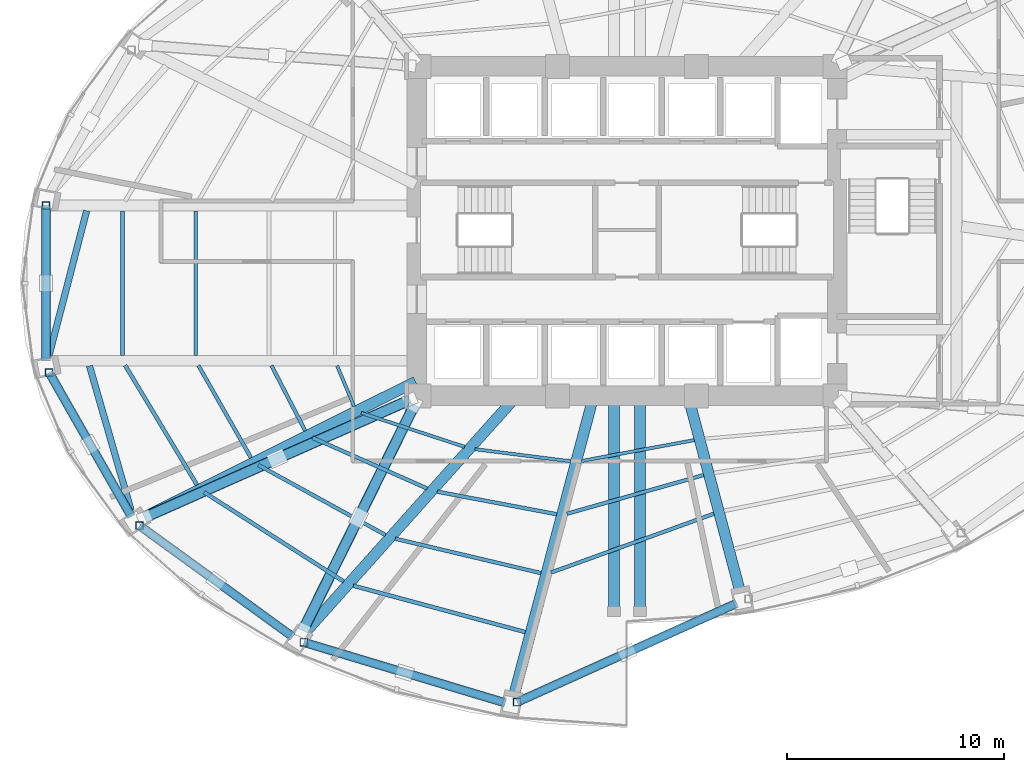
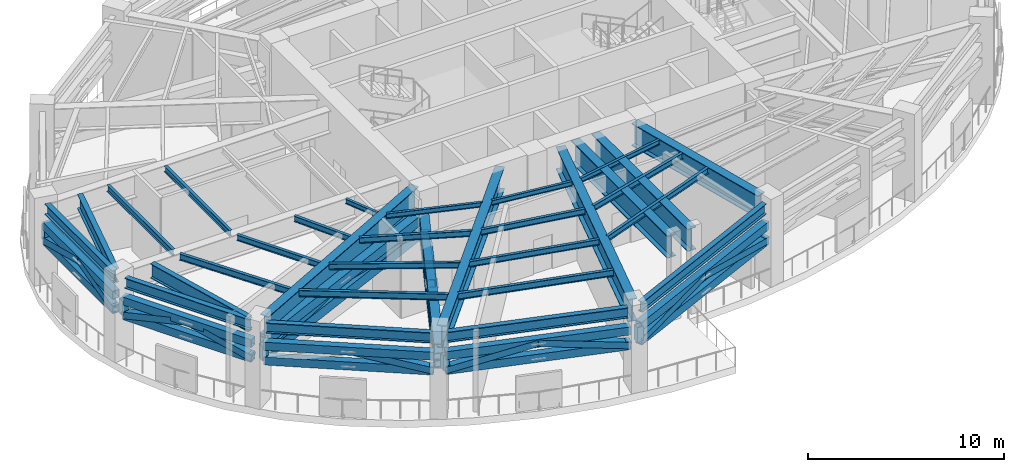
# One storey, part 2 of 14: 32 members, 30 beams.
"""IFC4 building model written with IfcOpenShell, lengths in metres."""

from ifc_helpers import new_model, si_unit, direction, frame, origin, origin_2d, place, context, subcontext, project, spatial, hollow_rectangle, i_section, extrude, material, material_profile, profile_set, type_object, element, save


model = new_model("IFC4")

# Units and contexts
model_context = context("Model", 3, precision=1e-05, world=origin(), true_north=direction((0.0, 1.0)))
body_context = subcontext(model_context, "Body", "Model", "MODEL_VIEW")
ifc_project = project(units=[si_unit("LENGTHUNIT", "METRE"), si_unit("AREAUNIT", "SQUARE_METRE"), si_unit("VOLUMEUNIT", "CUBIC_METRE"), si_unit("PLANEANGLEUNIT", "RADIAN"), si_unit("MASSUNIT", "GRAM", prefix="KILO")], contexts=[model_context])

# Site, building, storey
site_placement = place(None, origin())
site = spatial("IfcSite", under=ifc_project, at=site_placement, CompositionType="ELEMENT")
building_placement = place(site_placement, origin())
building = spatial("IfcBuilding", under=site, at=building_placement, Name="Lazwardi Medical Tower", CompositionType="ELEMENT")
storey_placement = place(building_placement, frame((0.0, 0.0, 76.27197265625)))
storey = spatial("IfcBuildingStorey", under=building, at=storey_placement, Name="L19", CompositionType="ELEMENT", Elevation=76.27197265625)

# Beams
ifc_material_1 = material(Name="Steel S460", Category="steel")
ifc_material_profile_1 = material_profile(ifc_material_1, i_section(OverallWidth=0.300048828125, OverallDepth=0.89990234375, WebThickness=0.0185546875, FlangeThickness=0.034912109375, at=origin_2d()), Name="HEB 900")
ifc_profile_set_1 = profile_set([ifc_material_profile_1], Name="Steel S460")
beam_type_1 = type_object("IfcBeamType", Name="BM-HB-01", PredefinedType="BEAM", material=ifc_profile_set_1)
beam_1_placement = place(storey_placement, frame((11.075439453125, 28.94287109375, 4.572021484375), z_axis=(-0.251712176718, -0.967802138917, 0.0), x_axis=(0.967802138917, -0.251712176718, 0.0)))
element("IfcBeam", 1, at=beam_1_placement, inside=storey, type_object=beam_type_1, Name="Transfer girder tie HB-01 M12 L19", PredefinedType="BEAM", context=body_context, shape_type="SweptSolid", body=[
    extrude(i_section(OverallWidth=0.300048828125, OverallDepth=0.89990234375, WebThickness=0.0185546875, FlangeThickness=0.034912109375, at=origin_2d()), origin(), (0.0, 0.0, 1.0), 6.890380859375),
])
beam_2_placement = place(storey_placement, frame((11.205078125, 21.78466796875, 4.572021484375), z_axis=(0.276962437668, -0.960880746045, 0.0), x_axis=(0.960880746045, 0.276962437668, 0.0)))
element("IfcBeam", 2, at=beam_2_placement, inside=storey, type_object=beam_type_1, Name="Transfer girder tie HB-01 M13 L19", PredefinedType="BEAM", context=body_context, shape_type="SweptSolid", body=[
    extrude(i_section(OverallWidth=0.300048828125, OverallDepth=0.89990234375, WebThickness=0.0185546875, FlangeThickness=0.034912109375, at=origin_2d()), origin(), (0.0, 0.0, 1.0), 6.93212890625),
])
ifc_material_2 = material(Name="Steel S355", Category="steel")
ifc_material_profile_2 = material_profile(ifc_material_2, i_section(OverallWidth=0.300048828125, OverallDepth=0.64990234375, WebThickness=0.01611328125, FlangeThickness=0.031005859375, at=origin_2d()), Name="HEB 650")
ifc_profile_set_2 = profile_set([ifc_material_profile_2], Name="Steel S355")
beam_type_2 = type_object("IfcBeamType", Name="BM-RB-Z1", PredefinedType="BEAM", material=ifc_profile_set_2)
beam_3_placement = place(storey_placement, frame((9.199951171875, 29.047607421875, 4.697021484375), z_axis=(0.0, -1.0, 0.0), x_axis=(1.0, 0.0, 0.0)))
element("IfcBeam", 3, at=beam_3_placement, inside=storey, type_object=beam_type_2, Name="Ring beam RB-02 B12 L19", PredefinedType="BEAM", context=body_context, shape_type="SweptSolid", body=[
    extrude(i_section(OverallWidth=0.300048828125, OverallDepth=0.64990234375, WebThickness=0.01611328125, FlangeThickness=0.031005859375, at=origin_2d()), origin(), (0.0, 0.0, 1.0), 6.895263671875),
])
beam_4_placement = place(storey_placement, frame((9.408203125, 21.36767578125, 4.697021484375), z_axis=(0.49581512241, -0.868428099724, 0.0), x_axis=(0.868428099724, 0.49581512241, 0.0)))
element("IfcBeam", 4, at=beam_4_placement, inside=storey, type_object=beam_type_2, Name="Ring beam RB-02 B13 L19", PredefinedType="BEAM", context=body_context, shape_type="SweptSolid", body=[
    extrude(i_section(OverallWidth=0.300048828125, OverallDepth=0.64990234375, WebThickness=0.01611328125, FlangeThickness=0.031005859375, at=origin_2d()), origin(), (0.0, 0.0, 1.0), 7.389404296875),
])
beam_5_placement = place(storey_placement, frame((13.6201171875, 14.339111328125, 4.697021484375), z_axis=(0.809407079515, -0.587247971159, 0.0), x_axis=(0.587247971159, 0.809407079515, 0.0)))
element("IfcBeam", 5, at=beam_5_placement, inside=storey, type_object=beam_type_2, Name="Ring beam RB-02 B14 L19", PredefinedType="BEAM", context=body_context, shape_type="SweptSolid", body=[
    extrude(i_section(OverallWidth=0.300048828125, OverallDepth=0.64990234375, WebThickness=0.01611328125, FlangeThickness=0.031005859375, at=origin_2d()), origin(), (0.0, 0.0, 1.0), 8.473876953125),
])
beam_6_placement = place(storey_placement, frame((21.22119140625, 8.9951171875, 4.697021484375), z_axis=(0.957695289269, -0.287784177662, 0.0), x_axis=(0.287784177662, 0.957695289269, 0.0)))
element("IfcBeam", 6, at=beam_6_placement, inside=storey, type_object=beam_type_2, Name="Ring beam RB-02 B15 L19", PredefinedType="BEAM", context=body_context, shape_type="SweptSolid", body=[
    extrude(i_section(OverallWidth=0.300048828125, OverallDepth=0.64990234375, WebThickness=0.01611328125, FlangeThickness=0.031005859375, at=origin_2d()), origin(), (0.0, 0.0, 1.0), 9.445556640625),
])
beam_7_placement = place(storey_placement, frame((31.05224609375, 6.328369140625, 4.697021484375), z_axis=(0.91184908894, 0.410525564368, 0.0), x_axis=(-0.410525564368, 0.91184908894, 0.0)))
element("IfcBeam", 7, at=beam_7_placement, inside=storey, type_object=beam_type_2, Name="Ring beam RB-02 B16 L19", PredefinedType="BEAM", context=body_context, shape_type="SweptSolid", body=[
    extrude(i_section(OverallWidth=0.300048828125, OverallDepth=0.64990234375, WebThickness=0.01611328125, FlangeThickness=0.031005859375, at=origin_2d()), origin(), (0.0, 0.0, 1.0), 10.85205078125),
])
ifc_material_profile_3 = material_profile(ifc_material_2, i_section(OverallWidth=0.179931640625, OverallDepth=0.39990234375, WebThickness=0.008544921875, FlangeThickness=0.013427734375, at=origin_2d()), Name="IPE 400")
ifc_profile_set_3 = profile_set([ifc_material_profile_3], Name="Steel S355")
beam_type_3 = type_object("IfcBeamType", Name="BM-SJ-01", PredefinedType="JOIST", material=ifc_profile_set_3)
beam_8_placement = place(storey_placement, frame((12.72607421875, 28.934814453125, 4.822021484375), z_axis=(0.0, -1.0, 0.0), x_axis=(1.0, 0.0, 0.0)))
element("IfcBeam", 8, at=beam_8_placement, inside=storey, type_object=beam_type_3, Name="Secondary joist SJ-01 R1 B12 L19", PredefinedType="JOIST", context=body_context, shape_type="SweptSolid", body=[
    extrude(i_section(OverallWidth=0.179931640625, OverallDepth=0.39990234375, WebThickness=0.008544921875, FlangeThickness=0.013427734375, at=origin_2d()), origin(), (0.0, 0.0, 1.0), 6.669677734375),
])
beam_9_placement = place(storey_placement, frame((12.85205078125, 21.81005859375, 4.822021484375), z_axis=(0.514903280124, -0.857248279157, 0.0), x_axis=(0.857248279157, 0.514903280124, 0.0)))
element("IfcBeam", 9, at=beam_9_placement, inside=storey, type_object=beam_type_3, Name="Secondary joist SJ-01 R1 B13 L19", PredefinedType="JOIST", context=body_context, shape_type="SweptSolid", body=[
    extrude(i_section(OverallWidth=0.179931640625, OverallDepth=0.39990234375, WebThickness=0.008544921875, FlangeThickness=0.013427734375, at=origin_2d()), origin(), (0.0, 0.0, 1.0), 6.430419921875),
])
beam_10_placement = place(storey_placement, frame((16.49560546875, 15.95556640625, 4.822021484375), z_axis=(0.842531896871, -0.538646454323, 0.0), x_axis=(0.538646454323, 0.842531896871, 0.0)))
element("IfcBeam", 10, at=beam_10_placement, inside=storey, type_object=beam_type_3, Name="Secondary joist SJ-01 R1 B14 L19", PredefinedType="JOIST", context=body_context, shape_type="SweptSolid", body=[
    extrude(i_section(OverallWidth=0.179931640625, OverallDepth=0.39990234375, WebThickness=0.008544921875, FlangeThickness=0.013427734375, at=origin_2d()), origin(), (0.0, 0.0, 1.0), 7.639404296875),
])
beam_11_placement = place(storey_placement, frame((23.375244140625, 11.64501953125, 4.822021484375), z_axis=(0.965541984542, -0.260247336368, 0.0), x_axis=(0.260247336368, 0.965541984542, 0.0)))
element("IfcBeam", 11, at=beam_11_placement, inside=storey, type_object=beam_type_3, Name="Secondary joist SJ-01 R1 B15 L19", PredefinedType="JOIST", context=body_context, shape_type="SweptSolid", body=[
    extrude(i_section(OverallWidth=0.179931640625, OverallDepth=0.39990234375, WebThickness=0.008544921875, FlangeThickness=0.013427734375, at=origin_2d()), origin(), (0.0, 0.0, 1.0), 8.216064453125),
])
ifc_material_profile_4 = material_profile(ifc_material_2, i_section(OverallWidth=0.169921875, OverallDepth=0.360107421875, WebThickness=0.008056640625, FlangeThickness=0.0126953125, at=origin_2d()), Name="IPE 360")
ifc_profile_set_4 = profile_set([ifc_material_profile_4], Name="Steel S355")
beam_type_4 = type_object("IfcBeamType", Name="BM-SJ-02", PredefinedType="JOIST", material=ifc_profile_set_4)
beam_12_placement = place(storey_placement, frame((16.10693359375, 28.934814453125, 4.842041015625), z_axis=(0.0, -1.0, 0.0), x_axis=(1.0, 0.0, 0.0)))
element("IfcBeam", 12, at=beam_12_placement, inside=storey, type_object=beam_type_4, Name="Secondary joist SJ-02 R2 B12 L19", PredefinedType="JOIST", context=body_context, shape_type="SweptSolid", body=[
    extrude(i_section(OverallWidth=0.169921875, OverallDepth=0.360107421875, WebThickness=0.008056640625, FlangeThickness=0.0126953125, at=origin_2d()), origin(), (0.0, 0.0, 1.0), 6.669677734375),
])
beam_13_placement = place(storey_placement, frame((16.228271484375, 21.80712890625, 4.842041015625), z_axis=(0.495126070105, -0.868821140801, 0.0), x_axis=(0.868821140801, 0.495126070105, 0.0)))
element("IfcBeam", 13, at=beam_13_placement, inside=storey, type_object=beam_type_4, Name="Secondary joist SJ-02 R2 B13 L19", PredefinedType="JOIST", context=body_context, shape_type="SweptSolid", body=[
    extrude(i_section(OverallWidth=0.169921875, OverallDepth=0.360107421875, WebThickness=0.008056640625, FlangeThickness=0.0126953125, at=origin_2d()), origin(), (0.0, 0.0, 1.0), 4.90771484375),
])
beam_14_placement = place(storey_placement, frame((18.994140625, 17.212158203125, 4.842041015625), z_axis=(0.876180470539, -0.481983177139, 0.0), x_axis=(0.481983177139, 0.876180470539, 0.0)))
element("IfcBeam", 14, at=beam_14_placement, inside=storey, type_object=beam_type_4, Name="Secondary joist SJ-02 R2 B14 L19", PredefinedType="JOIST", context=body_context, shape_type="SweptSolid", body=[
    extrude(i_section(OverallWidth=0.169921875, OverallDepth=0.360107421875, WebThickness=0.008056640625, FlangeThickness=0.0126953125, at=origin_2d()), origin(), (0.0, 0.0, 1.0), 6.69140625),
])
beam_15_placement = place(storey_placement, frame((25.31005859375, 13.812744140625, 4.842041015625), z_axis=(0.973257933772, -0.229715028567, 0.0), x_axis=(0.229715028567, 0.973257933772, 0.0)))
element("IfcBeam", 15, at=beam_15_placement, inside=storey, type_object=beam_type_4, Name="Secondary joist SJ-02 R2 B15 L19", PredefinedType="JOIST", context=body_context, shape_type="SweptSolid", body=[
    extrude(i_section(OverallWidth=0.169921875, OverallDepth=0.360107421875, WebThickness=0.008056640625, FlangeThickness=0.0126953125, at=origin_2d()), origin(), (0.0, 0.0, 1.0), 6.9072265625),
])
beam_16_placement = place(storey_placement, frame((32.501220703125, 12.253173828125, 4.842041015625), z_axis=(0.940478985064, 0.339851848095, 0.0), x_axis=(-0.339851848095, 0.940478985064, 0.0)))
element("IfcBeam", 16, at=beam_16_placement, inside=storey, type_object=beam_type_4, Name="Secondary joist SJ-02 R2 B16 L19", PredefinedType="JOIST", context=body_context, shape_type="SweptSolid", body=[
    extrude(i_section(OverallWidth=0.169921875, OverallDepth=0.360107421875, WebThickness=0.008056640625, FlangeThickness=0.0126953125, at=origin_2d()), origin(), (0.0, 0.0, 1.0), 7.98388671875),
])
beam_17_placement = place(storey_placement, frame((19.6005859375, 21.802490234375, 4.842041015625), z_axis=(0.459099628804, -0.888384787596, 0.0), x_axis=(0.888384787596, 0.459099628804, 0.0)))
element("IfcBeam", 17, at=beam_17_placement, inside=storey, type_object=beam_type_4, Name="Secondary joist SJ-02 R3 B13 L19", PredefinedType="JOIST", context=body_context, shape_type="SweptSolid", body=[
    extrude(i_section(OverallWidth=0.169921875, OverallDepth=0.360107421875, WebThickness=0.008056640625, FlangeThickness=0.0126953125, at=origin_2d()), origin(), (0.0, 0.0, 1.0), 3.39013671875),
])
beam_18_placement = place(storey_placement, frame((21.49365234375, 18.4736328125, 4.842041015625), z_axis=(0.914115919269, -0.405452939487, 0.0), x_axis=(0.405452939487, 0.914115919269, 0.0)))
element("IfcBeam", 18, at=beam_18_placement, inside=storey, type_object=beam_type_4, Name="Secondary joist SJ-02 R3 B14 L19", PredefinedType="JOIST", context=body_context, shape_type="SweptSolid", body=[
    extrude(i_section(OverallWidth=0.169921875, OverallDepth=0.360107421875, WebThickness=0.008056640625, FlangeThickness=0.0126953125, at=origin_2d()), origin(), (0.0, 0.0, 1.0), 5.78369140625),
])
beam_19_placement = place(storey_placement, frame((27.2451171875, 15.98388671875, 4.842041015625), z_axis=(0.982600100928, -0.185733792445, 0.0), x_axis=(0.185733792445, 0.982600100928, 0.0)))
element("IfcBeam", 19, at=beam_19_placement, inside=storey, type_object=beam_type_4, Name="Secondary joist SJ-02 R3 B15 L19", PredefinedType="JOIST", context=body_context, shape_type="SweptSolid", body=[
    extrude(i_section(OverallWidth=0.169921875, OverallDepth=0.360107421875, WebThickness=0.008056640625, FlangeThickness=0.0126953125, at=origin_2d()), origin(), (0.0, 0.0, 1.0), 5.60888671875),
])
beam_20_placement = place(storey_placement, frame((33.23291015625, 14.96337890625, 4.842041015625), z_axis=(0.962085979715, 0.272746343029, 0.0), x_axis=(-0.272746343029, 0.962085979715, 0.0)))
element("IfcBeam", 20, at=beam_20_placement, inside=storey, type_object=beam_type_4, Name="Secondary joist SJ-02 R3 B16 L19", PredefinedType="JOIST", context=body_context, shape_type="SweptSolid", body=[
    extrude(i_section(OverallWidth=0.169921875, OverallDepth=0.360107421875, WebThickness=0.008056640625, FlangeThickness=0.0126953125, at=origin_2d()), origin(), (0.0, 0.0, 1.0), 6.549560546875),
])
ifc_material_profile_5 = material_profile(ifc_material_2, i_section(OverallWidth=0.14990234375, OverallDepth=0.300048828125, WebThickness=0.007080078125, FlangeThickness=0.0107421875, at=origin_2d()), Name="IPE 300")
ifc_profile_set_5 = profile_set([ifc_material_profile_5], Name="Steel S355")
beam_type_5 = type_object("IfcBeamType", Name="BM-SJ-03", PredefinedType="JOIST", material=ifc_profile_set_5)
beam_21_placement = place(storey_placement, frame((22.6259765625, 21.794189453125, 4.8720703125), z_axis=(0.387847956284, -0.921723365661, 0.0), x_axis=(0.921723365661, 0.387847956284, 0.0)))
element("IfcBeam", 21, at=beam_21_placement, inside=storey, type_object=beam_type_5, Name="Secondary joist SJ-03 R4 B13 L19", PredefinedType="JOIST", context=body_context, shape_type="SweptSolid", body=[
    extrude(i_section(OverallWidth=0.14990234375, OverallDepth=0.300048828125, WebThickness=0.007080078125, FlangeThickness=0.0107421875, at=origin_2d()), origin(), (0.0, 0.0, 1.0), 2.036376953125),
])
beam_22_placement = place(storey_placement, frame((23.74365234375, 19.614990234375, 4.8720703125), z_axis=(0.950123227602, -0.31187473827, 0.0), x_axis=(0.31187473827, 0.950123227602, 0.0)))
element("IfcBeam", 22, at=beam_22_placement, inside=storey, type_object=beam_type_5, Name="Secondary joist SJ-03 R4 B14 L19", PredefinedType="JOIST", context=body_context, shape_type="SweptSolid", body=[
    extrude(i_section(OverallWidth=0.14990234375, OverallDepth=0.300048828125, WebThickness=0.007080078125, FlangeThickness=0.0107421875, at=origin_2d()), origin(), (0.0, 0.0, 1.0), 5.017822265625),
])
beam_23_placement = place(storey_placement, frame((28.987060546875, 17.94287109375, 4.8720703125), z_axis=(0.992035793974, -0.125956276045, 0.0), x_axis=(0.125956276045, 0.992035793974, 0.0)))
element("IfcBeam", 23, at=beam_23_placement, inside=storey, type_object=beam_type_5, Name="Secondary joist SJ-03 R4 B15 L19", PredefinedType="JOIST", context=body_context, shape_type="SweptSolid", body=[
    extrude(i_section(OverallWidth=0.14990234375, OverallDepth=0.300048828125, WebThickness=0.007080078125, FlangeThickness=0.0107421875, at=origin_2d()), origin(), (0.0, 0.0, 1.0), 4.4560546875),
])
beam_24_placement = place(storey_placement, frame((33.8916015625, 17.395263671875, 4.8720703125), z_axis=(0.983249016834, 0.182267306159, 0.0), x_axis=(-0.182267306159, 0.983249016834, 0.0)))
element("IfcBeam", 24, at=beam_24_placement, inside=storey, type_object=beam_type_5, Name="Secondary joist SJ-03 R4 B16 L19", PredefinedType="JOIST", context=body_context, shape_type="SweptSolid", body=[
    extrude(i_section(OverallWidth=0.14990234375, OverallDepth=0.300048828125, WebThickness=0.007080078125, FlangeThickness=0.0107421875, at=origin_2d()), origin(), (0.0, 0.0, 1.0), 5.302978515625),
])
ifc_material_profile_6 = material_profile(ifc_material_1, i_section(OverallWidth=0.5, OverallDepth=1.39990234375, WebThickness=0.028076171875, FlangeThickness=0.044921875, at=origin_2d()), Name="PG 1400x500")
ifc_profile_set_6 = profile_set([ifc_material_profile_6], Name="Steel S460")
beam_type_6 = type_object("IfcBeamType", Name="BM-TG-01", PredefinedType="BEAM", material=ifc_profile_set_6)
for number, where, z_axis, x_axis, name in (
    (25, (35.39990234375, 10.659912109375, 4.322021484375), (0.0, 1.0, 0.0), (-1.0, 0.0, 0.0), "Transfer girder TG-01 PL3 L19"),
    (26, (36.60009765625, 10.659912109375, 4.322021484375), (0.0, 1.0, 0.0), (-1.0, 0.0, 0.0), "Transfer girder TG-01 PL4 L19"),
):
    element("IfcBeam", number, at=place(storey_placement, frame(where, z_axis=z_axis, x_axis=x_axis)), inside=storey, type_object=beam_type_6, Name=name, PredefinedType="BEAM", context=body_context, shape_type="SweptSolid", body=[
        extrude(i_section(OverallWidth=0.5, OverallDepth=1.39990234375, WebThickness=0.028076171875, FlangeThickness=0.044921875, at=origin_2d()), origin(), (0.0, 0.0, 1.0), 9.840087890625),
    ])
beam_25_placement = place(storey_placement, frame((41.181396484375, 11.516357421875, 4.322021484375), z_axis=(-0.257343488717, 0.966319992971, 0.0), x_axis=(-0.966319992971, -0.257343488717, 0.0)))
element("IfcBeam", 27, at=beam_25_placement, inside=storey, type_object=beam_type_6, Name="Transfer girder TG-01 M01 L19", PredefinedType="BEAM", context=body_context, shape_type="SweptSolid", body=[
    extrude(i_section(OverallWidth=0.5, OverallDepth=1.39990234375, WebThickness=0.028076171875, FlangeThickness=0.044921875, at=origin_2d()), origin(), (0.0, 0.0, 1.0), 9.1416015625),
])
beam_26_placement = place(storey_placement, frame((13.799072265625, 14.8447265625, 4.322021484375), z_axis=(0.894760291131, 0.446546774052, 0.0), x_axis=(-0.446546774052, 0.894760291131, 0.0)))
element("IfcBeam", 28, at=beam_26_placement, inside=storey, type_object=beam_type_6, Name="Transfer girder TG-01 M14 L19", PredefinedType="BEAM", context=body_context, shape_type="SweptSolid", body=[
    extrude(i_section(OverallWidth=0.5, OverallDepth=1.39990234375, WebThickness=0.028076171875, FlangeThickness=0.044921875, at=origin_2d()), origin(), (0.0, 0.0, 1.0), 13.915283203125),
])
beam_27_placement = place(storey_placement, frame((21.205810546875, 9.54833984375, 4.322021484375), z_axis=(0.666787966344, 0.745247481001, 0.0), x_axis=(-0.745247481001, 0.666787966344, 0.0)))
element("IfcBeam", 29, at=beam_27_placement, inside=storey, type_object=beam_type_6, Name="Transfer girder TG-01 M15 L19", PredefinedType="BEAM", context=body_context, shape_type="SweptSolid", body=[
    extrude(i_section(OverallWidth=0.5, OverallDepth=1.39990234375, WebThickness=0.028076171875, FlangeThickness=0.044921875, at=origin_2d()), origin(), (0.0, 0.0, 1.0), 14.494140625),
])
beam_28_placement = place(storey_placement, frame((30.818603515625, 6.71630859375, 4.322021484375), z_axis=(0.257343842395, 0.966319898782, 0.0), x_axis=(-0.966319898782, 0.257343842395, 0.0)))
element("IfcBeam", 30, at=beam_28_placement, inside=storey, type_object=beam_type_6, Name="Transfer girder TG-01 M16 L19", PredefinedType="BEAM", context=body_context, shape_type="SweptSolid", body=[
    extrude(i_section(OverallWidth=0.5, OverallDepth=1.39990234375, WebThickness=0.028076171875, FlangeThickness=0.044921875, at=origin_2d()), origin(), (0.0, 0.0, 1.0), 14.10888671875),
])

# Members
ifc_material_profile_7 = material_profile(ifc_material_1, hollow_rectangle(XDim=0.39990234375, YDim=0.5, WallThickness=0.02490234375, at=origin_2d()), Name="RHS 500x400x25")
ifc_profile_set_7 = profile_set([ifc_material_profile_7], Name="Steel S460")
member_type_1 = type_object("IfcMemberType", Name="MEM-BC-01", PredefinedType="CHORD", material=ifc_profile_set_7)
for number, where, z_axis, x_axis, name in (
    (31, (9.199951171875, 29.177734375, 2.679931640625), (0.0, -1.0, 0.0), (1.0, 0.0, 0.0), "Belt truss bottom chord BC-01 B12 L19"),
    (32, (9.199951171875, 29.177734375, 3.60009765625), (0.0, -1.0, 0.0), (1.0, 0.0, 0.0), "Belt truss top chord BC-01 B12 L19"),
):
    element("IfcMember", number, at=place(storey_placement, frame(where, z_axis=z_axis, x_axis=x_axis)), inside=storey, type_object=member_type_1, Name=name, PredefinedType="CHORD", context=body_context, shape_type="SweptSolid", body=[
        extrude(hollow_rectangle(XDim=0.39990234375, YDim=0.5, WallThickness=0.02490234375, at=origin_2d()), origin(), (0.0, 0.0, 1.0), 7.155517578125),
    ])
for number, where, z_axis, x_axis, name in (
    (33, (9.34375, 21.48046875, 2.679931640625), (0.495802051618, -0.868435562153, 0.0), (0.868435562153, 0.495802051618, 0.0), "Belt truss bottom chord BC-01 B13 L19"),
    (34, (9.34375, 21.48046875, 3.60009765625), (0.495802051618, -0.868435562153, 0.0), (0.868435562153, 0.495802051618, 0.0), "Belt truss top chord BC-01 B13 L19"),
):
    element("IfcMember", number, at=place(storey_placement, frame(where, z_axis=z_axis, x_axis=x_axis)), inside=storey, type_object=member_type_1, Name=name, PredefinedType="CHORD", context=body_context, shape_type="SweptSolid", body=[
        extrude(hollow_rectangle(XDim=0.39990234375, YDim=0.5, WallThickness=0.02490234375, at=origin_2d()), origin(), (0.0, 0.0, 1.0), 7.649169921875),
    ])
for number, where, z_axis, x_axis, name in (
    (35, (13.514892578125, 14.41552734375, 2.679931640625), (0.809399182415, -0.587258855621, 0.0), (0.587258855621, 0.809399182415, 0.0), "Belt truss bottom chord BC-01 B14 L19"),
    (36, (13.514892578125, 14.41552734375, 3.60009765625), (0.809399182415, -0.587258855621, 0.0), (0.587258855621, 0.809399182415, 0.0), "Belt truss top chord BC-01 B14 L19"),
):
    element("IfcMember", number, at=place(storey_placement, frame(where, z_axis=z_axis, x_axis=x_axis)), inside=storey, type_object=member_type_1, Name=name, PredefinedType="CHORD", context=body_context, shape_type="SweptSolid", body=[
        extrude(hollow_rectangle(XDim=0.39990234375, YDim=0.5, WallThickness=0.02490234375, at=origin_2d()), origin(), (0.0, 0.0, 1.0), 8.734130859375),
    ])
for number, where, z_axis, x_axis, name in (
    (37, (21.0966796875, 9.03271484375, 2.679931640625), (0.957691868037, -0.287795562676, 0.0), (0.287795562676, 0.957691868037, 0.0), "Belt truss bottom chord BC-01 B15 L19"),
    (38, (21.0966796875, 9.03271484375, 3.60009765625), (0.957691868037, -0.287795562676, 0.0), (0.287795562676, 0.957691868037, 0.0), "Belt truss top chord BC-01 B15 L19"),
):
    element("IfcMember", number, at=place(storey_placement, frame(where, z_axis=z_axis, x_axis=x_axis)), inside=storey, type_object=member_type_1, Name=name, PredefinedType="CHORD", context=body_context, shape_type="SweptSolid", body=[
        extrude(hollow_rectangle(XDim=0.39990234375, YDim=0.5, WallThickness=0.02490234375, at=origin_2d()), origin(), (0.0, 0.0, 1.0), 9.70556640625),
    ])
for number, where, z_axis, x_axis, name in (
    (39, (30.93359375, 6.27490234375, 2.679931640625), (0.911845850519, 0.410532757392, 0.0), (-0.410532757392, 0.911845850519, 0.0), "Belt truss bottom chord BC-01 B16 L19"),
    (40, (30.93359375, 6.27490234375, 3.60009765625), (0.911845850519, 0.410532757392, 0.0), (-0.410532757392, 0.911845850519, 0.0), "Belt truss top chord BC-01 B16 L19"),
):
    element("IfcMember", number, at=place(storey_placement, frame(where, z_axis=z_axis, x_axis=x_axis)), inside=storey, type_object=member_type_1, Name=name, PredefinedType="CHORD", context=body_context, shape_type="SweptSolid", body=[
        extrude(hollow_rectangle(XDim=0.39990234375, YDim=0.5, WallThickness=0.02490234375, at=origin_2d()), origin(), (0.0, 0.0, 1.0), 11.1123046875),
    ])
ifc_material_profile_8 = material_profile(ifc_material_1, hollow_rectangle(XDim=0.39990234375, YDim=0.39990234375, WallThickness=0.02001953125, at=origin_2d()), Name="RHS 400x400x20")
ifc_profile_set_8 = profile_set([ifc_material_profile_8], Name="Steel S460")
member_type_2 = type_object("IfcMemberType", Name="MEM-BD-01", PredefinedType="BRACE", material=ifc_profile_set_8)
member_1_placement = place(storey_placement, frame((9.199951171875, 29.177734375, 2.679931640625), z_axis=(0.0, -0.968479723399, 0.249092403268), x_axis=(1.0, 0.0, 0.0)))
element("IfcMember", 41, at=member_1_placement, inside=storey, type_object=member_type_2, Name="Belt truss diagonal BD-01 B12A L19", PredefinedType="BRACE", context=body_context, shape_type="SweptSolid", body=[
    extrude(hollow_rectangle(XDim=0.39990234375, YDim=0.39990234375, WallThickness=0.02001953125, at=origin_2d()), origin(), (0.0, 0.0, 1.0), 3.694091796875),
])
member_2_placement = place(storey_placement, frame((9.199951171875, 22.022216796875, 2.679931640625), z_axis=(0.0, 0.96848382368, 0.249076460692), x_axis=(-1.0, 0.0, 0.0)))
element("IfcMember", 42, at=member_2_placement, inside=storey, type_object=member_type_2, Name="Belt truss diagonal BD-01 B12B L19", PredefinedType="BRACE", context=body_context, shape_type="SweptSolid", body=[
    extrude(hollow_rectangle(XDim=0.39990234375, YDim=0.39990234375, WallThickness=0.02001953125, at=origin_2d()), origin(), (0.0, 0.0, 1.0), 3.6943359375),
])
member_3_placement = place(storey_placement, frame((9.34375, 21.48046875, 2.679931640625), z_axis=(0.482059417112, -0.844333244547, 0.23392325777), x_axis=(0.868427715946, 0.495815794601, 0.0)))
element("IfcMember", 43, at=member_3_placement, inside=storey, type_object=member_type_2, Name="Belt truss diagonal BD-01 B13A L19", PredefinedType="BRACE", context=body_context, shape_type="SweptSolid", body=[
    extrude(hollow_rectangle(XDim=0.39990234375, YDim=0.39990234375, WallThickness=0.02001953125, at=origin_2d()), origin(), (0.0, 0.0, 1.0), 3.93359375),
])
member_4_placement = place(storey_placement, frame((13.13623046875, 14.837646484375, 2.679931640625), z_axis=(-0.482034156519, 0.844351062114, 0.233910999861), x_axis=(-0.868443407706, -0.495788309273, 0.0)))
element("IfcMember", 44, at=member_4_placement, inside=storey, type_object=member_type_2, Name="Belt truss diagonal BD-01 B13B L19", PredefinedType="BRACE", context=body_context, shape_type="SweptSolid", body=[
    extrude(hollow_rectangle(XDim=0.39990234375, YDim=0.39990234375, WallThickness=0.02001953125, at=origin_2d()), origin(), (0.0, 0.0, 1.0), 3.933837890625),
])
member_5_placement = place(storey_placement, frame((20.584228515625, 9.286376953125, 2.679931640625), z_axis=(-0.79199598146, 0.57465933038, 0.206177155279), x_axis=(-0.587277167758, -0.809385895745, 0.0)))
element("IfcMember", 45, at=member_5_placement, inside=storey, type_object=member_type_2, Name="Belt truss diagonal BD-01 B14B L19", PredefinedType="BRACE", context=body_context, shape_type="SweptSolid", body=[
    extrude(hollow_rectangle(XDim=0.39990234375, YDim=0.39990234375, WallThickness=0.02001953125, at=origin_2d()), origin(), (0.0, 0.0, 1.0), 4.462890625),
])
for number, where, z_axis, x_axis, name in (
    (46, (21.0966796875, 9.03271484375, 2.679931640625), (0.940919431444, -0.282779999332, 0.186295720588), (0.287818633707, 0.957684934669, 0.0), "Belt truss diagonal BD-01 B15A L19"),
    (47, (30.3916015625, 6.239501953125, 2.679931640625), (-0.940932582148, 0.282734522478, 0.186298324339), (-0.287772491145, -0.95769880095, 0.0), "Belt truss diagonal BD-01 B15B L19"),
):
    element("IfcMember", number, at=place(storey_placement, frame(where, z_axis=z_axis, x_axis=x_axis)), inside=storey, type_object=member_type_2, Name=name, PredefinedType="BRACE", context=body_context, shape_type="SweptSolid", body=[
        extrude(hollow_rectangle(XDim=0.39990234375, YDim=0.39990234375, WallThickness=0.02001953125, at=origin_2d()), origin(), (0.0, 0.0, 1.0), 4.939208984375),
    ])
for number, where, z_axis, x_axis, name in (
    (48, (30.93359375, 6.27490234375, 2.679931640625), (0.899592819429, 0.405016177329, 0.163384991154), (-0.410532757392, 0.911845850519, 0.0), "Belt truss diagonal BD-01 B16A L19"),
    (49, (41.06640625, 10.8369140625, 2.679931640625), (-0.899592819429, -0.405016177329, 0.163384991154), (0.410532757392, -0.911845850519, 0.0), "Belt truss diagonal BD-01 B16B L19"),
):
    element("IfcMember", number, at=place(storey_placement, frame(where, z_axis=z_axis, x_axis=x_axis)), inside=storey, type_object=member_type_2, Name=name, PredefinedType="BRACE", context=body_context, shape_type="SweptSolid", body=[
        extrude(hollow_rectangle(XDim=0.39990234375, YDim=0.39990234375, WallThickness=0.02001953125, at=origin_2d()), origin(), (0.0, 0.0, 1.0), 5.6318359375),
    ])
ifc_material_profile_9 = material_profile(ifc_material_2, hollow_rectangle(XDim=0.35009765625, YDim=0.35009765625, WallThickness=0.01611328125, at=origin_2d()), Name="RHS 350x350x16")
ifc_profile_set_9 = profile_set([ifc_material_profile_9], Name="Steel S355")
member_type_3 = type_object("IfcMemberType", Name="MEM-BV-01", PredefinedType="POST", material=ifc_profile_set_9)
for number, where, z_axis, x_axis, name in (
    (50, (9.199951171875, 29.177734375, 2.679931640625), (0.0, 0.0, 1.0), (1.0, 0.0, 0.0), "Belt truss post BV-01 B12 L19"),
    (51, (9.34375, 21.48046875, 2.679931640625), (0.0, 0.0, 1.0), (1.0, 0.0, 0.0), "Belt truss post BV-01 B13 L19"),
    (52, (13.514892578125, 14.41552734375, 2.679931640625), (0.0, 0.0, 1.0), (1.0, 0.0, 0.0), "Belt truss post BV-01 B14 L19"),
    (53, (21.0966796875, 9.03271484375, 2.679931640625), (0.0, 0.0, 1.0), (1.0, 0.0, 0.0), "Belt truss post BV-01 B15 L19"),
    (54, (30.93359375, 6.27490234375, 2.679931640625), (0.0, 0.0, 1.0), (1.0, 0.0, 0.0), "Belt truss post BV-01 B16 L19"),
):
    element("IfcMember", number, at=place(storey_placement, frame(where, z_axis=z_axis, x_axis=x_axis)), inside=storey, type_object=member_type_3, Name=name, PredefinedType="POST", context=body_context, shape_type="SweptSolid", body=[
        extrude(hollow_rectangle(XDim=0.35009765625, YDim=0.35009765625, WallThickness=0.01611328125, at=origin_2d()), origin(), (0.0, 0.0, 1.0), 0.920166015625),
    ])
ifc_material_profile_10 = material_profile(ifc_material_1, hollow_rectangle(XDim=0.5, YDim=0.60009765625, WallThickness=0.030029296875, at=origin_2d()), Name="RHS 600x500x30")
ifc_profile_set_10 = profile_set([ifc_material_profile_10], Name="Steel S460")
member_type_4 = type_object("IfcMemberType", Name="MEM-OC-01", PredefinedType="CHORD", material=ifc_profile_set_10)
for number, where, z_axis, x_axis, name in (
    (55, (25.988525390625, 20.2177734375, 2.679931640625), (-0.914241680886, -0.405169284289, 0.0), (0.405169284289, -0.914241680886, 0.0), "Outrigger truss bottom chord OC-01 OR1 L19"),
    (56, (25.988525390625, 20.2177734375, 3.60009765625), (-0.914241680886, -0.405169284289, 0.0), (0.405169284289, -0.914241680886, 0.0), "Outrigger truss top chord OC-01 OR1 L19"),
):
    element("IfcMember", number, at=place(storey_placement, frame(where, z_axis=z_axis, x_axis=x_axis)), inside=storey, type_object=member_type_4, Name=name, PredefinedType="CHORD", context=body_context, shape_type="SweptSolid", body=[
        extrude(hollow_rectangle(XDim=0.5, YDim=0.60009765625, WallThickness=0.030029296875, at=origin_2d()), origin(), (0.0, 0.0, 1.0), 13.3955078125),
    ])
for number, where, z_axis, x_axis, name in (
    (57, (26.200439453125, 19.99658203125, 2.679931640625), (-0.443331161961, -0.896357897736, 0.0), (0.896357897736, -0.443331161961, 0.0), "Outrigger truss bottom chord OC-01 OR2 L19"),
    (58, (26.200439453125, 19.99658203125, 3.60009765625), (-0.443331161961, -0.896357897736, 0.0), (0.896357897736, -0.443331161961, 0.0), "Outrigger truss top chord OC-01 OR2 L19"),
):
    element("IfcMember", number, at=place(storey_placement, frame(where, z_axis=z_axis, x_axis=x_axis)), inside=storey, type_object=member_type_4, Name=name, PredefinedType="CHORD", context=body_context, shape_type="SweptSolid", body=[
        extrude(hollow_rectangle(XDim=0.5, YDim=0.60009765625, WallThickness=0.030029296875, at=origin_2d()), origin(), (0.0, 0.0, 1.0), 11.633544921875),
    ])
ifc_material_profile_11 = material_profile(ifc_material_1, hollow_rectangle(XDim=0.449951171875, YDim=0.449951171875, WallThickness=0.02197265625, at=origin_2d()), Name="RHS 450x450x22")
ifc_profile_set_11 = profile_set([ifc_material_profile_11], Name="Steel S460")
member_type_5 = type_object("IfcMemberType", Name="MEM-OD-01", PredefinedType="BRACE", material=ifc_profile_set_11)
for number, where, z_axis, x_axis, name in (
    (59, (25.988525390625, 20.2177734375, 2.679931640625), (-0.905724348803, -0.401420671476, 0.136106019323), (0.405191268978, -0.914231937499, 0.0), "Outrigger truss diagonal OD-01 OR1A L19"),
    (60, (13.74169921875, 14.790283203125, 2.679931640625), (0.905743964878, 0.401377249407, 0.136103540532), (-0.405147299773, 0.914251423563, 0.0), "Outrigger truss diagonal OD-01 OR1B L19"),
):
    element("IfcMember", number, at=place(storey_placement, frame(where, z_axis=z_axis, x_axis=x_axis)), inside=storey, type_object=member_type_5, Name=name, PredefinedType="BRACE", context=body_context, shape_type="SweptSolid", body=[
        extrude(hollow_rectangle(XDim=0.449951171875, YDim=0.449951171875, WallThickness=0.02197265625, at=origin_2d()), origin(), (0.0, 0.0, 1.0), 6.7607421875),
    ])
member_6_placement = place(storey_placement, frame((26.200439453125, 19.99658203125, 2.679931640625), z_axis=(-0.437902707765, -0.885340360413, 0.156248727215), x_axis=(0.896349558132, -0.443348023157, 0.0)))
element("IfcMember", 61, at=member_6_placement, inside=storey, type_object=member_type_5, Name="Outrigger truss diagonal OD-01 OR2A L19", PredefinedType="BRACE", context=body_context, shape_type="SweptSolid", body=[
    extrude(hollow_rectangle(XDim=0.449951171875, YDim=0.449951171875, WallThickness=0.02197265625, at=origin_2d()), origin(), (0.0, 0.0, 1.0), 5.88916015625),
])
member_7_placement = place(storey_placement, frame((21.04296875, 9.56884765625, 2.679931640625), z_axis=(0.437869200177, 0.885356432397, 0.156251563669), x_axis=(-0.896366237179, 0.443314300294, 0.0)))
element("IfcMember", 62, at=member_7_placement, inside=storey, type_object=member_type_5, Name="Outrigger truss diagonal OD-01 OR2B L19", PredefinedType="BRACE", context=body_context, shape_type="SweptSolid", body=[
    extrude(hollow_rectangle(XDim=0.449951171875, YDim=0.449951171875, WallThickness=0.02197265625, at=origin_2d()), origin(), (0.0, 0.0, 1.0), 5.888916015625),
])

save(model, "model.ifc")
